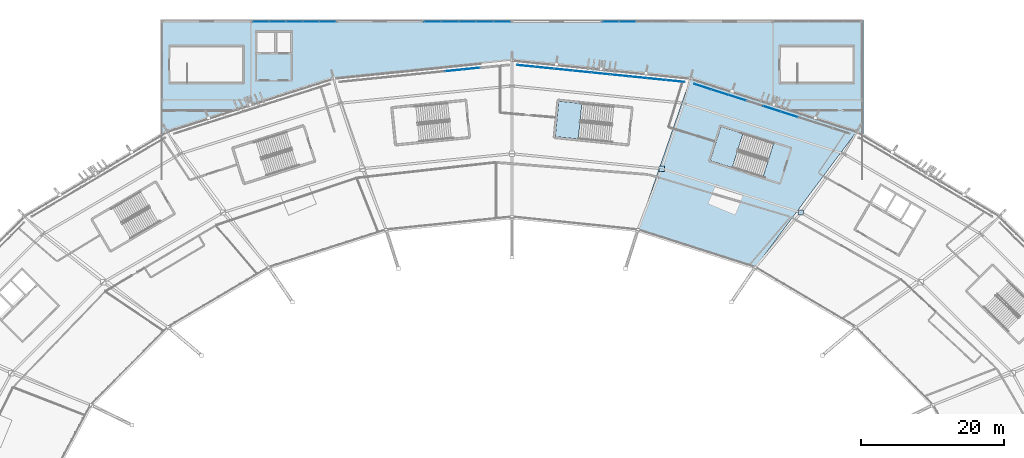
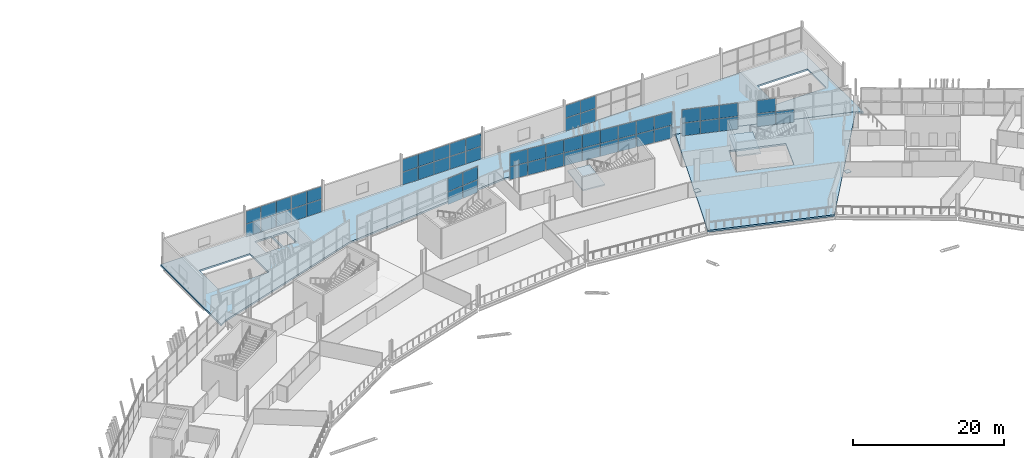
# One storey, part 90 of 168: 57 plates, 4 slabs, 8 elements without a shape of their own.
"""IFC4 building model written with IfcOpenShell, lengths in metres."""

from ifc_helpers import new_model, si_unit, direction, frame, origin, origin_2d, place, context, subcontext, project, spatial, polyline, rectangle, outline, extrude, material, layer, layer_set, type_object, element, aggregate, save


model = new_model("IFC4")

# Units and contexts
model_context = context("Model", 3, precision=1e-05, world=origin(), true_north=direction((0.0, 1.0)))
body_context = subcontext(model_context, "Body", "Model", "MODEL_VIEW")
ifc_project = project(units=[si_unit("LENGTHUNIT", "METRE"), si_unit("AREAUNIT", "SQUARE_METRE"), si_unit("VOLUMEUNIT", "CUBIC_METRE"), si_unit("PLANEANGLEUNIT", "RADIAN"), si_unit("MASSUNIT", "GRAM", prefix="KILO")], contexts=[model_context])

# Site, building, storey
site_placement = place(None, origin())
site = spatial("IfcSite", under=ifc_project, at=site_placement, CompositionType="ELEMENT")
building_placement = place(site_placement, origin())
building = spatial("IfcBuilding", under=site, at=building_placement, Name="Zlatoyarsky Gate Stadium", CompositionType="ELEMENT")
storey_placement = place(building_placement, frame((0.0, 0.0, 15.60009765625)))
storey = spatial("IfcBuildingStorey", under=building, at=storey_placement, Name="L03", CompositionType="ELEMENT", Elevation=15.60009765625)

# Curtain wall, plates
ifc_material_1 = material(Name="Thermally broken anodised aluminium curtain wall", Category="aluminium")
curtain_wall_type_1 = type_object("IfcCurtainWallType", Name="MONUMENTAL ARCHED GATE GLAZING UPPER", PredefinedType="USERDEFINED", material=ifc_material_1)
curtain_wall_1_placement = place(storey_placement, origin())
curtain_wall_1 = element("IfcCurtainWall", 1, at=curtain_wall_1_placement, inside=storey, type_object=curtain_wall_type_1, Name="Curtain wall CW-L03-06", ObjectType="ARCHED GATE GLAZING", PredefinedType="USERDEFINED")
ifc_material_2 = material(Name="Triple-glazed argon low-e architectural glass", Category="glass")
ifc_layer_1 = layer(ifc_material_2, 0.0458984375)
ifc_layer_set_1 = layer_set([ifc_layer_1], Name="Triple-glazed argon low-e architectural glass")
plate_type_1 = type_object("IfcPlateType", Name="ACOUSTIC LAMINATED GATE GLAZING PANEL 46", PredefinedType="CURTAIN_PANEL", material=ifc_layer_set_1)
plate_1_placement = place(storey_placement, frame((105.318115234375, 153.425537109375, 0.074951171875), z_axis=(0.0, 0.0, 1.0), x_axis=(-0.994889751747, -0.100967231657, 0.0)))
plate_1 = element("IfcPlate", 2, at=plate_1_placement, type_object=plate_type_1, Name="CW-AG2 panel 1.1", PredefinedType="CURTAIN_PANEL", context=body_context, shape_type="SweptSolid", body=[
    extrude(rectangle(XDim=2.371826171875, YDim=0.0458984375, at=origin_2d()), origin(), (0.0, 0.0, 1.0), 2.03759765625),
])
plate_2_placement = place(storey_placement, frame((105.318115234375, 153.425537109375, 2.1875), z_axis=(0.0, 0.0, 1.0), x_axis=(-0.994889751747, -0.100967231657, 0.0)))
plate_2 = element("IfcPlate", 3, at=plate_2_placement, type_object=plate_type_1, Name="CW-AG2 panel 1.2", PredefinedType="CURTAIN_PANEL", context=body_context, shape_type="SweptSolid", body=[
    extrude(rectangle(XDim=2.371826171875, YDim=0.0458984375, at=origin_2d()), origin(), (0.0, 0.0, 1.0), 2.117431640625),
])
plate_3_placement = place(storey_placement, frame((102.865234375, 153.1767578125, 0.074951171875), z_axis=(0.0, 0.0, 1.0), x_axis=(-0.994889751747, -0.100967231657, 0.0)))
plate_3 = element("IfcPlate", 4, at=plate_3_placement, type_object=plate_type_1, Name="CW-AG2 panel 2.1", PredefinedType="CURTAIN_PANEL", context=body_context, shape_type="SweptSolid", body=[
    extrude(rectangle(XDim=2.409423828125, YDim=0.0458984375, at=origin_2d()), origin(), (0.0, 0.0, 1.0), 2.03759765625),
])
plate_4_placement = place(storey_placement, frame((102.865234375, 153.1767578125, 2.1875), z_axis=(0.0, 0.0, 1.0), x_axis=(-0.994889751747, -0.100967231657, 0.0)))
plate_4 = element("IfcPlate", 5, at=plate_4_placement, type_object=plate_type_1, Name="CW-AG2 panel 2.2", PredefinedType="CURTAIN_PANEL", context=body_context, shape_type="SweptSolid", body=[
    extrude(rectangle(XDim=2.409423828125, YDim=0.0458984375, at=origin_2d()), origin(), (0.0, 0.0, 1.0), 2.117431640625),
])
aggregate(curtain_wall_1, [plate_1, plate_2, plate_3, plate_4])

# Slabs
ifc_material_3 = material(Name="Concrete C40/50", Category="concrete")
ifc_layer_2 = layer(ifc_material_3, 0.280029296875)
ifc_layer_set_2 = layer_set([ifc_layer_2], Name="Concrete C40/50")
slab_type_1 = type_object("IfcSlabType", Name="CONCRETE HOSPITALITY SLAB 280", PredefinedType="FLOOR", material=ifc_layer_set_2)
slab_1_placement = place(storey_placement, frame((0.0, 0.0, -0.280029296875)))
element("IfcSlab", 6, at=slab_1_placement, inside=storey, type_object=slab_type_1, Name="L03 bowl sector 04 slab", PredefinedType="FLOOR", context=body_context, shape_type="SweptSolid", body=[
    extrude(outline(polyline([(128.599609375, 130.711181640625), (136.0283203125, 152.15673828125), (159.35107421875, 144.694091796875), (145.0, 125.46630859375), (128.599609375, 130.711181640625)]), holes=[polyline([(147.6533203125, 142.964111328125), (140.263916015625, 145.30078125), (138.75634765625, 140.53369140625), (146.145751953125, 138.197021484375), (147.6533203125, 142.964111328125)])]), origin(), (0.0, 0.0, 1.0), 0.280029296875),
])
slab_2_placement = place(storey_placement, frame((0.0, 0.0, -0.280029296875)))
element("IfcSlab", 7, at=slab_2_placement, inside=storey, type_object=slab_type_1, Name="L03 wing V2_NORTH slab", PredefinedType="FLOOR", context=body_context, shape_type="SweptSolid", body=[
    extrude(outline(polyline([(160.239990234375, 144.1669921875), (159.35107421875, 144.694091796875), (136.0283203125, 152.15673828125), (111.0, 154.7021484375), (85.9716796875, 152.15673828125), (62.64892578125, 144.694091796875), (61.760009765625, 144.1669921875), (61.760009765625, 160.239990234375), (160.239990234375, 160.239990234375), (160.239990234375, 144.1669921875)]), holes=[polyline([(73.300048828125, 151.5), (73.300048828125, 156.5), (65.550048828125, 156.5), (65.550048828125, 151.5), (73.300048828125, 151.5)]), polyline([(77.75, 158.550048828125), (75.25, 158.550048828125), (75.25, 155.64990234375), (77.75, 155.64990234375), (77.75, 158.550048828125)]), polyline([(80.0, 158.550048828125), (78.0, 158.550048828125), (78.0, 155.75), (80.0, 155.75), (80.0, 158.550048828125)]), polyline([(151.050048828125, 151.5), (158.800048828125, 151.5), (158.800048828125, 156.5), (151.050048828125, 156.5), (151.050048828125, 151.5)])]), origin(), (0.0, 0.0, 1.0), 0.280029296875),
])

# Stair, slab
stair_type = type_object("IfcStairType", Name="CONCRETE DOGLEG EXIT STAIR H5200", PredefinedType="TWO_STRAIGHT_RUN_STAIR", material=ifc_material_3)
stair_1_placement = place(storey_placement, origin())
stair_1 = element("IfcStair", 8, at=stair_1_placement, inside=storey, type_object=stair_type, Name="L03 Exit Stair ST-03", PredefinedType="TWO_STRAIGHT_RUN_STAIR")
ifc_layer_3 = layer(ifc_material_3, 0.199951171875)
ifc_layer_set_3 = layer_set([ifc_layer_3], Name="Concrete C40/50")
slab_type_2 = type_object("IfcSlabType", Name="CONCRETE STAIR LANDING SLAB 200", PredefinedType="LANDING", material=ifc_layer_set_3)
slab_3_placement = place(storey_placement, frame((0.0, 0.0, 2.39990234375)))
slab_3 = element("IfcSlab", 9, at=slab_3_placement, type_object=slab_type_2, Name="ST-DG52 landing 1", PredefinedType="LANDING", context=body_context, shape_type="SweptSolid", body=[
    extrude(outline(polyline([(143.36279296875, 144.321044921875), (140.263916015625, 145.30078125), (138.75634765625, 140.53369140625), (141.855224609375, 139.5537109375), (143.36279296875, 144.321044921875)])), origin(), (0.0, 0.0, 1.0), 0.199951171875),
])
aggregate(stair_1, [slab_3])

stair_2_placement = place(storey_placement, origin())
stair_2 = element("IfcStair", 10, at=stair_2_placement, inside=storey, type_object=stair_type, Name="L03 Exit Stair ST-17", PredefinedType="TWO_STRAIGHT_RUN_STAIR")
slab_4_placement = place(storey_placement, frame((0.0, 0.0, 2.39990234375)))
slab_4 = element("IfcSlab", 11, at=slab_4_placement, type_object=slab_type_2, Name="ST-DG52 landing 1", PredefinedType="LANDING", context=body_context, shape_type="SweptSolid", body=[
    extrude(outline(polyline([(120.792236328125, 148.540771484375), (117.558349609375, 148.865966796875), (117.058349609375, 143.890869140625), (120.2919921875, 143.56591796875), (120.792236328125, 148.540771484375)])), origin(), (0.0, 0.0, 1.0), 0.199951171875),
])
aggregate(stair_2, [slab_4])

# Plates
ifc_material_4 = material(Name="Steel S355", Category="steel")
ifc_layer_4 = layer(ifc_material_4, 0.0400390625)
ifc_layer_set_4 = layer_set([ifc_layer_4], Name="Steel S355")
plate_type_2 = type_object("IfcPlateType", Name="STEEL COLUMN BASE PLATE 40", PredefinedType="USERDEFINED", material=ifc_layer_set_4)
for number, where, z_axis, x_axis, name in (
    (12, (151.5, 133.260498046875, 0.0), (0.0, 0.0, 1.0), (1.0, 0.0, 0.0), "Column base plate BP-01 at RB-04 L03"),
    (13, (131.96435546875, 139.404296875, 0.0), (0.0, 0.0, 1.0), (1.0, 0.0, 0.0), "Column base plate BP-01 at RB-05 L03"),
):
    element("IfcPlate", number, at=place(storey_placement, frame(where, z_axis=z_axis, x_axis=x_axis)), inside=storey, type_object=plate_type_2, Name=name, ObjectType="BASE PLATE", PredefinedType="USERDEFINED", context=body_context, shape_type="SweptSolid", body=[
        extrude(rectangle(XDim=0.75, YDim=0.75, at=origin_2d()), origin(), (0.0, 0.0, 1.0), 0.0400390625),
    ])

# Curtain wall, plates
curtain_wall_type_2 = type_object("IfcCurtainWallType", Name="UNITISED CORPORATE BOX GLAZING L03", PredefinedType="USERDEFINED", material=ifc_material_1)
curtain_wall_2_placement = place(storey_placement, origin())
curtain_wall_2 = element("IfcCurtainWall", 14, at=curtain_wall_2_placement, inside=storey, type_object=curtain_wall_type_2, Name="Curtain wall CW-L03-04", ObjectType="UNITISED GLAZING", PredefinedType="USERDEFINED")
ifc_layer_5 = layer(ifc_material_2, 0.0380859375)
ifc_layer_set_5 = layer_set([ifc_layer_5], Name="Triple-glazed argon low-e architectural glass")
plate_type_3 = type_object("IfcPlateType", Name="TRIPLE GLAZED LOW E CURTAIN PANEL 38", PredefinedType="CURTAIN_PANEL", material=ifc_layer_set_5)
plate_5_placement = place(storey_placement, frame((149.859130859375, 147.006591796875, 0.06494140625), z_axis=(0.0, 0.0, 1.0), x_axis=(-0.952620280552, 0.304162129597, 0.0)))
plate_5 = element("IfcPlate", 15, at=plate_5_placement, type_object=plate_type_3, Name="CW-UG3 panel 4.1", PredefinedType="CURTAIN_PANEL", context=body_context, shape_type="SweptSolid", body=[
    extrude(rectangle(XDim=2.4912109375, YDim=0.0380859375, at=origin_2d()), origin(), (0.0, 0.0, 1.0), 2.052490234375),
])
plate_6_placement = place(storey_placement, frame((147.424072265625, 147.7841796875, 0.06494140625), z_axis=(0.0, 0.0, 1.0), x_axis=(-0.952620280552, 0.304162129597, 0.0)))
plate_6 = element("IfcPlate", 16, at=plate_6_placement, type_object=plate_type_3, Name="CW-UG3 panel 5.1", PredefinedType="CURTAIN_PANEL", context=body_context, shape_type="SweptSolid", body=[
    extrude(rectangle(XDim=2.4912109375, YDim=0.0380859375, at=origin_2d()), origin(), (0.0, 0.0, 1.0), 2.052490234375),
])
plate_7_placement = place(storey_placement, frame((147.424072265625, 147.7841796875, 2.18212890625), z_axis=(0.0, 0.0, 1.0), x_axis=(-0.952620280552, 0.304162129597, 0.0)))
plate_7 = element("IfcPlate", 17, at=plate_7_placement, type_object=plate_type_3, Name="CW-UG3 panel 5.2", PredefinedType="CURTAIN_PANEL", context=body_context, shape_type="SweptSolid", body=[
    extrude(rectangle(XDim=2.4912109375, YDim=0.0380859375, at=origin_2d()), origin(), (0.0, 0.0, 1.0), 2.132568359375),
])
plate_8_placement = place(storey_placement, frame((142.553955078125, 149.339111328125, 0.06494140625), z_axis=(0.0, 0.0, 1.0), x_axis=(-0.952620280552, 0.304162129597, 0.0)))
plate_8 = element("IfcPlate", 18, at=plate_8_placement, type_object=plate_type_3, Name="CW-UG3 panel 7.1", PredefinedType="CURTAIN_PANEL", context=body_context, shape_type="SweptSolid", body=[
    extrude(rectangle(XDim=2.4912109375, YDim=0.0380859375, at=origin_2d()), origin(), (0.0, 0.0, 1.0), 2.052490234375),
])
plate_9_placement = place(storey_placement, frame((142.553955078125, 149.339111328125, 2.18212890625), z_axis=(0.0, 0.0, 1.0), x_axis=(-0.952620280552, 0.304162129597, 0.0)))
plate_9 = element("IfcPlate", 19, at=plate_9_placement, type_object=plate_type_3, Name="CW-UG3 panel 7.2", PredefinedType="CURTAIN_PANEL", context=body_context, shape_type="SweptSolid", body=[
    extrude(rectangle(XDim=2.4912109375, YDim=0.0380859375, at=origin_2d()), origin(), (0.0, 0.0, 1.0), 2.132568359375),
])
plate_10_placement = place(storey_placement, frame((140.118896484375, 150.11669921875, 0.06494140625), z_axis=(0.0, 0.0, 1.0), x_axis=(-0.952620280552, 0.304162129597, 0.0)))
plate_10 = element("IfcPlate", 20, at=plate_10_placement, type_object=plate_type_3, Name="CW-UG3 panel 8.1", PredefinedType="CURTAIN_PANEL", context=body_context, shape_type="SweptSolid", body=[
    extrude(rectangle(XDim=2.4912109375, YDim=0.0380859375, at=origin_2d()), origin(), (0.0, 0.0, 1.0), 2.052490234375),
])
plate_11_placement = place(storey_placement, frame((140.118896484375, 150.11669921875, 2.18212890625), z_axis=(0.0, 0.0, 1.0), x_axis=(-0.952620280552, 0.304162129597, 0.0)))
plate_11 = element("IfcPlate", 21, at=plate_11_placement, type_object=plate_type_3, Name="CW-UG3 panel 8.2", PredefinedType="CURTAIN_PANEL", context=body_context, shape_type="SweptSolid", body=[
    extrude(rectangle(XDim=2.4912109375, YDim=0.0380859375, at=origin_2d()), origin(), (0.0, 0.0, 1.0), 2.132568359375),
])
plate_12_placement = place(storey_placement, frame((137.699462890625, 150.88916015625, 0.06494140625), z_axis=(0.0, 0.0, 1.0), x_axis=(-0.952620280552, 0.304162129597, 0.0)))
plate_12 = element("IfcPlate", 22, at=plate_12_placement, type_object=plate_type_3, Name="CW-UG3 panel 9.1", PredefinedType="CURTAIN_PANEL", context=body_context, shape_type="SweptSolid", body=[
    extrude(rectangle(XDim=2.458740234375, YDim=0.0380859375, at=origin_2d()), origin(), (0.0, 0.0, 1.0), 2.052490234375),
])
plate_13_placement = place(storey_placement, frame((137.699462890625, 150.88916015625, 2.18212890625), z_axis=(0.0, 0.0, 1.0), x_axis=(-0.952620280552, 0.304162129597, 0.0)))
plate_13 = element("IfcPlate", 23, at=plate_13_placement, type_object=plate_type_3, Name="CW-UG3 panel 9.2", PredefinedType="CURTAIN_PANEL", context=body_context, shape_type="SweptSolid", body=[
    extrude(rectangle(XDim=2.458740234375, YDim=0.0380859375, at=origin_2d()), origin(), (0.0, 0.0, 1.0), 2.132568359375),
])
aggregate(curtain_wall_2, [plate_5, plate_6, plate_7, plate_8, plate_9, plate_10, plate_11, plate_12, plate_13])

curtain_wall_3_placement = place(storey_placement, origin())
curtain_wall_3 = element("IfcCurtainWall", 24, at=curtain_wall_3_placement, inside=storey, type_object=curtain_wall_type_2, Name="Curtain wall CW-L03-05", ObjectType="UNITISED GLAZING", PredefinedType="USERDEFINED")
plate_14_placement = place(storey_placement, frame((133.875732421875, 151.6806640625, 0.06494140625), z_axis=(0.0, 0.0, 1.0), x_axis=(-0.994889655868, 0.100968176403, 0.0)))
plate_14 = element("IfcPlate", 25, at=plate_14_placement, type_object=plate_type_3, Name="CW-UG3 panel 1.1", PredefinedType="CURTAIN_PANEL", context=body_context, shape_type="SweptSolid", body=[
    extrude(rectangle(XDim=2.532958984375, YDim=0.0380859375, at=origin_2d()), origin(), (0.0, 0.0, 1.0), 2.052490234375),
])
plate_15_placement = place(storey_placement, frame((133.875732421875, 151.6806640625, 2.18212890625), z_axis=(0.0, 0.0, 1.0), x_axis=(-0.994889655868, 0.100968176403, 0.0)))
plate_15 = element("IfcPlate", 26, at=plate_15_placement, type_object=plate_type_3, Name="CW-UG3 panel 1.2", PredefinedType="CURTAIN_PANEL", context=body_context, shape_type="SweptSolid", body=[
    extrude(rectangle(XDim=2.532958984375, YDim=0.0380859375, at=origin_2d()), origin(), (0.0, 0.0, 1.0), 2.132568359375),
])
plate_16_placement = place(storey_placement, frame((131.27490234375, 151.944580078125, 0.06494140625), z_axis=(0.0, 0.0, 1.0), x_axis=(-0.994889655868, 0.100968176403, 0.0)))
plate_16 = element("IfcPlate", 27, at=plate_16_placement, type_object=plate_type_3, Name="CW-UG3 panel 2.1", PredefinedType="CURTAIN_PANEL", context=body_context, shape_type="SweptSolid", body=[
    extrude(rectangle(XDim=2.5654296875, YDim=0.0380859375, at=origin_2d()), origin(), (0.0, 0.0, 1.0), 2.052490234375),
])
plate_17_placement = place(storey_placement, frame((131.27490234375, 151.944580078125, 2.18212890625), z_axis=(0.0, 0.0, 1.0), x_axis=(-0.994889655868, 0.100968176403, 0.0)))
plate_17 = element("IfcPlate", 28, at=plate_17_placement, type_object=plate_type_3, Name="CW-UG3 panel 2.2", PredefinedType="CURTAIN_PANEL", context=body_context, shape_type="SweptSolid", body=[
    extrude(rectangle(XDim=2.5654296875, YDim=0.0380859375, at=origin_2d()), origin(), (0.0, 0.0, 1.0), 2.132568359375),
])
plate_18_placement = place(storey_placement, frame((128.65771484375, 152.210205078125, 0.06494140625), z_axis=(0.0, 0.0, 1.0), x_axis=(-0.994889655868, 0.100968176403, 0.0)))
plate_18 = element("IfcPlate", 29, at=plate_18_placement, type_object=plate_type_3, Name="CW-UG3 panel 3.1", PredefinedType="CURTAIN_PANEL", context=body_context, shape_type="SweptSolid", body=[
    extrude(rectangle(XDim=2.5654296875, YDim=0.0380859375, at=origin_2d()), origin(), (0.0, 0.0, 1.0), 2.052490234375),
])
plate_19_placement = place(storey_placement, frame((128.65771484375, 152.210205078125, 2.18212890625), z_axis=(0.0, 0.0, 1.0), x_axis=(-0.994889655868, 0.100968176403, 0.0)))
plate_19 = element("IfcPlate", 30, at=plate_19_placement, type_object=plate_type_3, Name="CW-UG3 panel 3.2", PredefinedType="CURTAIN_PANEL", context=body_context, shape_type="SweptSolid", body=[
    extrude(rectangle(XDim=2.5654296875, YDim=0.0380859375, at=origin_2d()), origin(), (0.0, 0.0, 1.0), 2.132568359375),
])
plate_20_placement = place(storey_placement, frame((126.040771484375, 152.475830078125, 0.06494140625), z_axis=(0.0, 0.0, 1.0), x_axis=(-0.994889655868, 0.100968176403, 0.0)))
plate_20 = element("IfcPlate", 31, at=plate_20_placement, type_object=plate_type_3, Name="CW-UG3 panel 4.1", PredefinedType="CURTAIN_PANEL", context=body_context, shape_type="SweptSolid", body=[
    extrude(rectangle(XDim=2.5654296875, YDim=0.0380859375, at=origin_2d()), origin(), (0.0, 0.0, 1.0), 2.052490234375),
])
plate_21_placement = place(storey_placement, frame((126.040771484375, 152.475830078125, 2.18212890625), z_axis=(0.0, 0.0, 1.0), x_axis=(-0.994889655868, 0.100968176403, 0.0)))
plate_21 = element("IfcPlate", 32, at=plate_21_placement, type_object=plate_type_3, Name="CW-UG3 panel 4.2", PredefinedType="CURTAIN_PANEL", context=body_context, shape_type="SweptSolid", body=[
    extrude(rectangle(XDim=2.5654296875, YDim=0.0380859375, at=origin_2d()), origin(), (0.0, 0.0, 1.0), 2.132568359375),
])
plate_22_placement = place(storey_placement, frame((123.423583984375, 152.741455078125, 0.06494140625), z_axis=(0.0, 0.0, 1.0), x_axis=(-0.994889655868, 0.100968176403, 0.0)))
plate_22 = element("IfcPlate", 33, at=plate_22_placement, type_object=plate_type_3, Name="CW-UG3 panel 5.1", PredefinedType="CURTAIN_PANEL", context=body_context, shape_type="SweptSolid", body=[
    extrude(rectangle(XDim=2.5654296875, YDim=0.0380859375, at=origin_2d()), origin(), (0.0, 0.0, 1.0), 2.052490234375),
])
plate_23_placement = place(storey_placement, frame((123.423583984375, 152.741455078125, 2.18212890625), z_axis=(0.0, 0.0, 1.0), x_axis=(-0.994889655868, 0.100968176403, 0.0)))
plate_23 = element("IfcPlate", 34, at=plate_23_placement, type_object=plate_type_3, Name="CW-UG3 panel 5.2", PredefinedType="CURTAIN_PANEL", context=body_context, shape_type="SweptSolid", body=[
    extrude(rectangle(XDim=2.5654296875, YDim=0.0380859375, at=origin_2d()), origin(), (0.0, 0.0, 1.0), 2.132568359375),
])
plate_24_placement = place(storey_placement, frame((120.806396484375, 153.007080078125, 0.06494140625), z_axis=(0.0, 0.0, 1.0), x_axis=(-0.994889655868, 0.100968176403, 0.0)))
plate_24 = element("IfcPlate", 35, at=plate_24_placement, type_object=plate_type_3, Name="CW-UG3 panel 6.1", PredefinedType="CURTAIN_PANEL", context=body_context, shape_type="SweptSolid", body=[
    extrude(rectangle(XDim=2.5654296875, YDim=0.0380859375, at=origin_2d()), origin(), (0.0, 0.0, 1.0), 2.052490234375),
])
plate_25_placement = place(storey_placement, frame((120.806396484375, 153.007080078125, 2.18212890625), z_axis=(0.0, 0.0, 1.0), x_axis=(-0.994889655868, 0.100968176403, 0.0)))
plate_25 = element("IfcPlate", 36, at=plate_25_placement, type_object=plate_type_3, Name="CW-UG3 panel 6.2", PredefinedType="CURTAIN_PANEL", context=body_context, shape_type="SweptSolid", body=[
    extrude(rectangle(XDim=2.5654296875, YDim=0.0380859375, at=origin_2d()), origin(), (0.0, 0.0, 1.0), 2.132568359375),
])
plate_26_placement = place(storey_placement, frame((118.189453125, 153.272705078125, 0.06494140625), z_axis=(0.0, 0.0, 1.0), x_axis=(-0.994889655868, 0.100968176403, 0.0)))
plate_26 = element("IfcPlate", 37, at=plate_26_placement, type_object=plate_type_3, Name="CW-UG3 panel 7.1", PredefinedType="CURTAIN_PANEL", context=body_context, shape_type="SweptSolid", body=[
    extrude(rectangle(XDim=2.5654296875, YDim=0.0380859375, at=origin_2d()), origin(), (0.0, 0.0, 1.0), 2.052490234375),
])
plate_27_placement = place(storey_placement, frame((118.189453125, 153.272705078125, 2.18212890625), z_axis=(0.0, 0.0, 1.0), x_axis=(-0.994889655868, 0.100968176403, 0.0)))
plate_27 = element("IfcPlate", 38, at=plate_27_placement, type_object=plate_type_3, Name="CW-UG3 panel 7.2", PredefinedType="CURTAIN_PANEL", context=body_context, shape_type="SweptSolid", body=[
    extrude(rectangle(XDim=2.5654296875, YDim=0.0380859375, at=origin_2d()), origin(), (0.0, 0.0, 1.0), 2.132568359375),
])
plate_28_placement = place(storey_placement, frame((115.572265625, 153.5380859375, 0.06494140625), z_axis=(0.0, 0.0, 1.0), x_axis=(-0.994889655868, 0.100968176403, 0.0)))
plate_28 = element("IfcPlate", 39, at=plate_28_placement, type_object=plate_type_3, Name="CW-UG3 panel 8.1", PredefinedType="CURTAIN_PANEL", context=body_context, shape_type="SweptSolid", body=[
    extrude(rectangle(XDim=2.5654296875, YDim=0.0380859375, at=origin_2d()), origin(), (0.0, 0.0, 1.0), 2.052490234375),
])
plate_29_placement = place(storey_placement, frame((115.572265625, 153.5380859375, 2.18212890625), z_axis=(0.0, 0.0, 1.0), x_axis=(-0.994889655868, 0.100968176403, 0.0)))
plate_29 = element("IfcPlate", 40, at=plate_29_placement, type_object=plate_type_3, Name="CW-UG3 panel 8.2", PredefinedType="CURTAIN_PANEL", context=body_context, shape_type="SweptSolid", body=[
    extrude(rectangle(XDim=2.5654296875, YDim=0.0380859375, at=origin_2d()), origin(), (0.0, 0.0, 1.0), 2.132568359375),
])
plate_30_placement = place(storey_placement, frame((112.971435546875, 153.80224609375, 0.06494140625), z_axis=(0.0, 0.0, 1.0), x_axis=(-0.994889655868, 0.100968176403, 0.0)))
plate_30 = element("IfcPlate", 41, at=plate_30_placement, type_object=plate_type_3, Name="CW-UG3 panel 9.1", PredefinedType="CURTAIN_PANEL", context=body_context, shape_type="SweptSolid", body=[
    extrude(rectangle(XDim=2.532958984375, YDim=0.0380859375, at=origin_2d()), origin(), (0.0, 0.0, 1.0), 2.052490234375),
])
plate_31_placement = place(storey_placement, frame((112.971435546875, 153.80224609375, 2.18212890625), z_axis=(0.0, 0.0, 1.0), x_axis=(-0.994889655868, 0.100968176403, 0.0)))
plate_31 = element("IfcPlate", 42, at=plate_31_placement, type_object=plate_type_3, Name="CW-UG3 panel 9.2", PredefinedType="CURTAIN_PANEL", context=body_context, shape_type="SweptSolid", body=[
    extrude(rectangle(XDim=2.532958984375, YDim=0.0380859375, at=origin_2d()), origin(), (0.0, 0.0, 1.0), 2.132568359375),
])
aggregate(curtain_wall_3, [plate_14, plate_15, plate_16, plate_17, plate_18, plate_19, plate_20, plate_21, plate_22, plate_23, plate_24, plate_25, plate_26, plate_27, plate_28, plate_29, plate_30, plate_31])

curtain_wall_type_3 = type_object("IfcCurtainWallType", Name="WINTER GARDEN CONSERVATORY GLAZING", PredefinedType="USERDEFINED", material=ifc_material_1)
curtain_wall_4_placement = place(storey_placement, origin())
curtain_wall_4 = element("IfcCurtainWall", 43, at=curtain_wall_4_placement, inside=storey, type_object=curtain_wall_type_3, Name="Curtain wall CW-V2_NORTH-L03-153", ObjectType="UNITISED GLAZING", PredefinedType="USERDEFINED")
plate_32_placement = place(storey_placement, frame((75.845947265625, 160.0, 0.06494140625), z_axis=(0.0, 0.0, 1.0), x_axis=(1.0, 0.0, 0.0)))
plate_32 = element("IfcPlate", 44, at=plate_32_placement, type_object=plate_type_3, Name="CW-WG1 panel 1.1", PredefinedType="CURTAIN_PANEL", context=body_context, shape_type="SweptSolid", body=[
    extrude(rectangle(XDim=2.23779296875, YDim=0.0380859375, at=origin_2d()), origin(), (0.0, 0.0, 1.0), 2.052490234375),
])
plate_33_placement = place(storey_placement, frame((75.845947265625, 160.0, 2.1826171875), z_axis=(0.0, 0.0, 1.0), x_axis=(1.0, 0.0, 0.0)))
plate_33 = element("IfcPlate", 45, at=plate_33_placement, type_object=plate_type_3, Name="CW-WG1 panel 1.2", PredefinedType="CURTAIN_PANEL", context=body_context, shape_type="SweptSolid", body=[
    extrude(rectangle(XDim=2.23779296875, YDim=0.0380859375, at=origin_2d()), origin(), (0.0, 0.0, 1.0), 2.032470703125),
])
plate_34_placement = place(storey_placement, frame((78.164794921875, 160.0, 0.06494140625), z_axis=(0.0, 0.0, 1.0), x_axis=(1.0, 0.0, 0.0)))
plate_34 = element("IfcPlate", 46, at=plate_34_placement, type_object=plate_type_3, Name="CW-WG1 panel 2.1", PredefinedType="CURTAIN_PANEL", context=body_context, shape_type="SweptSolid", body=[
    extrude(rectangle(XDim=2.270263671875, YDim=0.0380859375, at=origin_2d()), origin(), (0.0, 0.0, 1.0), 2.052490234375),
])
plate_35_placement = place(storey_placement, frame((78.164794921875, 160.0, 2.1826171875), z_axis=(0.0, 0.0, 1.0), x_axis=(1.0, 0.0, 0.0)))
plate_35 = element("IfcPlate", 47, at=plate_35_placement, type_object=plate_type_3, Name="CW-WG1 panel 2.2", PredefinedType="CURTAIN_PANEL", context=body_context, shape_type="SweptSolid", body=[
    extrude(rectangle(XDim=2.270263671875, YDim=0.0380859375, at=origin_2d()), origin(), (0.0, 0.0, 1.0), 2.032470703125),
])
plate_36_placement = place(storey_placement, frame((80.5, 160.0, 0.06494140625), z_axis=(0.0, 0.0, 1.0), x_axis=(1.0, 0.0, 0.0)))
plate_36 = element("IfcPlate", 48, at=plate_36_placement, type_object=plate_type_3, Name="CW-WG1 panel 3.1", PredefinedType="CURTAIN_PANEL", context=body_context, shape_type="SweptSolid", body=[
    extrude(rectangle(XDim=2.270263671875, YDim=0.0380859375, at=origin_2d()), origin(), (0.0, 0.0, 1.0), 2.052490234375),
])
plate_37_placement = place(storey_placement, frame((80.5, 160.0, 2.1826171875), z_axis=(0.0, 0.0, 1.0), x_axis=(1.0, 0.0, 0.0)))
plate_37 = element("IfcPlate", 49, at=plate_37_placement, type_object=plate_type_3, Name="CW-WG1 panel 3.2", PredefinedType="CURTAIN_PANEL", context=body_context, shape_type="SweptSolid", body=[
    extrude(rectangle(XDim=2.270263671875, YDim=0.0380859375, at=origin_2d()), origin(), (0.0, 0.0, 1.0), 2.032470703125),
])
plate_38_placement = place(storey_placement, frame((82.835205078125, 160.0, 0.06494140625), z_axis=(0.0, 0.0, 1.0), x_axis=(1.0, 0.0, 0.0)))
plate_38 = element("IfcPlate", 50, at=plate_38_placement, type_object=plate_type_3, Name="CW-WG1 panel 4.1", PredefinedType="CURTAIN_PANEL", context=body_context, shape_type="SweptSolid", body=[
    extrude(rectangle(XDim=2.270263671875, YDim=0.0380859375, at=origin_2d()), origin(), (0.0, 0.0, 1.0), 2.052490234375),
])
plate_39_placement = place(storey_placement, frame((82.835205078125, 160.0, 2.1826171875), z_axis=(0.0, 0.0, 1.0), x_axis=(1.0, 0.0, 0.0)))
plate_39 = element("IfcPlate", 51, at=plate_39_placement, type_object=plate_type_3, Name="CW-WG1 panel 4.2", PredefinedType="CURTAIN_PANEL", context=body_context, shape_type="SweptSolid", body=[
    extrude(rectangle(XDim=2.270263671875, YDim=0.0380859375, at=origin_2d()), origin(), (0.0, 0.0, 1.0), 2.032470703125),
])
plate_40_placement = place(storey_placement, frame((85.154052734375, 160.0, 0.06494140625), z_axis=(0.0, 0.0, 1.0), x_axis=(1.0, 0.0, 0.0)))
plate_40 = element("IfcPlate", 52, at=plate_40_placement, type_object=plate_type_3, Name="CW-WG1 panel 5.1", PredefinedType="CURTAIN_PANEL", context=body_context, shape_type="SweptSolid", body=[
    extrude(rectangle(XDim=2.23779296875, YDim=0.0380859375, at=origin_2d()), origin(), (0.0, 0.0, 1.0), 2.052490234375),
])
plate_41_placement = place(storey_placement, frame((85.154052734375, 160.0, 2.1826171875), z_axis=(0.0, 0.0, 1.0), x_axis=(1.0, 0.0, 0.0)))
plate_41 = element("IfcPlate", 53, at=plate_41_placement, type_object=plate_type_3, Name="CW-WG1 panel 5.2", PredefinedType="CURTAIN_PANEL", context=body_context, shape_type="SweptSolid", body=[
    extrude(rectangle(XDim=2.23779296875, YDim=0.0380859375, at=origin_2d()), origin(), (0.0, 0.0, 1.0), 2.032470703125),
])
aggregate(curtain_wall_4, [plate_32, plate_33, plate_34, plate_35, plate_36, plate_37, plate_38, plate_39, plate_40, plate_41])

curtain_wall_5_placement = place(storey_placement, origin())
curtain_wall_5 = element("IfcCurtainWall", 54, at=curtain_wall_5_placement, inside=storey, type_object=curtain_wall_type_3, Name="Curtain wall CW-V2_NORTH-L03-154", ObjectType="UNITISED GLAZING", PredefinedType="USERDEFINED")
plate_42_placement = place(storey_placement, frame((99.895751953125, 160.0, 0.06494140625), z_axis=(0.0, 0.0, 1.0), x_axis=(1.0, 0.0, 0.0)))
plate_42 = element("IfcPlate", 55, at=plate_42_placement, type_object=plate_type_3, Name="CW-WG1 panel 1.1", PredefinedType="CURTAIN_PANEL", context=body_context, shape_type="SweptSolid", body=[
    extrude(rectangle(XDim=2.337646484375, YDim=0.0380859375, at=origin_2d()), origin(), (0.0, 0.0, 1.0), 2.052490234375),
])
plate_43_placement = place(storey_placement, frame((99.895751953125, 160.0, 2.1826171875), z_axis=(0.0, 0.0, 1.0), x_axis=(1.0, 0.0, 0.0)))
plate_43 = element("IfcPlate", 56, at=plate_43_placement, type_object=plate_type_3, Name="CW-WG1 panel 1.2", PredefinedType="CURTAIN_PANEL", context=body_context, shape_type="SweptSolid", body=[
    extrude(rectangle(XDim=2.337646484375, YDim=0.0380859375, at=origin_2d()), origin(), (0.0, 0.0, 1.0), 2.032470703125),
])
plate_44_placement = place(storey_placement, frame((102.314697265625, 160.0, 0.06494140625), z_axis=(0.0, 0.0, 1.0), x_axis=(1.0, 0.0, 0.0)))
plate_44 = element("IfcPlate", 57, at=plate_44_placement, type_object=plate_type_3, Name="CW-WG1 panel 2.1", PredefinedType="CURTAIN_PANEL", context=body_context, shape_type="SweptSolid", body=[
    extrude(rectangle(XDim=2.3701171875, YDim=0.0380859375, at=origin_2d()), origin(), (0.0, 0.0, 1.0), 2.052490234375),
])
plate_45_placement = place(storey_placement, frame((102.314697265625, 160.0, 2.1826171875), z_axis=(0.0, 0.0, 1.0), x_axis=(1.0, 0.0, 0.0)))
plate_45 = element("IfcPlate", 58, at=plate_45_placement, type_object=plate_type_3, Name="CW-WG1 panel 2.2", PredefinedType="CURTAIN_PANEL", context=body_context, shape_type="SweptSolid", body=[
    extrude(rectangle(XDim=2.3701171875, YDim=0.0380859375, at=origin_2d()), origin(), (0.0, 0.0, 1.0), 2.032470703125),
])
plate_46_placement = place(storey_placement, frame((104.75, 160.0, 0.06494140625), z_axis=(0.0, 0.0, 1.0), x_axis=(1.0, 0.0, 0.0)))
plate_46 = element("IfcPlate", 59, at=plate_46_placement, type_object=plate_type_3, Name="CW-WG1 panel 3.1", PredefinedType="CURTAIN_PANEL", context=body_context, shape_type="SweptSolid", body=[
    extrude(rectangle(XDim=2.3701171875, YDim=0.0380859375, at=origin_2d()), origin(), (0.0, 0.0, 1.0), 2.052490234375),
])
plate_47_placement = place(storey_placement, frame((104.75, 160.0, 2.1826171875), z_axis=(0.0, 0.0, 1.0), x_axis=(1.0, 0.0, 0.0)))
plate_47 = element("IfcPlate", 60, at=plate_47_placement, type_object=plate_type_3, Name="CW-WG1 panel 3.2", PredefinedType="CURTAIN_PANEL", context=body_context, shape_type="SweptSolid", body=[
    extrude(rectangle(XDim=2.3701171875, YDim=0.0380859375, at=origin_2d()), origin(), (0.0, 0.0, 1.0), 2.032470703125),
])
plate_48_placement = place(storey_placement, frame((107.185302734375, 160.0, 0.06494140625), z_axis=(0.0, 0.0, 1.0), x_axis=(1.0, 0.0, 0.0)))
plate_48 = element("IfcPlate", 61, at=plate_48_placement, type_object=plate_type_3, Name="CW-WG1 panel 4.1", PredefinedType="CURTAIN_PANEL", context=body_context, shape_type="SweptSolid", body=[
    extrude(rectangle(XDim=2.3701171875, YDim=0.0380859375, at=origin_2d()), origin(), (0.0, 0.0, 1.0), 2.052490234375),
])
plate_49_placement = place(storey_placement, frame((107.185302734375, 160.0, 2.1826171875), z_axis=(0.0, 0.0, 1.0), x_axis=(1.0, 0.0, 0.0)))
plate_49 = element("IfcPlate", 62, at=plate_49_placement, type_object=plate_type_3, Name="CW-WG1 panel 4.2", PredefinedType="CURTAIN_PANEL", context=body_context, shape_type="SweptSolid", body=[
    extrude(rectangle(XDim=2.3701171875, YDim=0.0380859375, at=origin_2d()), origin(), (0.0, 0.0, 1.0), 2.032470703125),
])
plate_50_placement = place(storey_placement, frame((109.604248046875, 160.0, 0.06494140625), z_axis=(0.0, 0.0, 1.0), x_axis=(1.0, 0.0, 0.0)))
plate_50 = element("IfcPlate", 63, at=plate_50_placement, type_object=plate_type_3, Name="CW-WG1 panel 5.1", PredefinedType="CURTAIN_PANEL", context=body_context, shape_type="SweptSolid", body=[
    extrude(rectangle(XDim=2.337646484375, YDim=0.0380859375, at=origin_2d()), origin(), (0.0, 0.0, 1.0), 2.052490234375),
])
plate_51_placement = place(storey_placement, frame((109.604248046875, 160.0, 2.1826171875), z_axis=(0.0, 0.0, 1.0), x_axis=(1.0, 0.0, 0.0)))
plate_51 = element("IfcPlate", 64, at=plate_51_placement, type_object=plate_type_3, Name="CW-WG1 panel 5.2", PredefinedType="CURTAIN_PANEL", context=body_context, shape_type="SweptSolid", body=[
    extrude(rectangle(XDim=2.337646484375, YDim=0.0380859375, at=origin_2d()), origin(), (0.0, 0.0, 1.0), 2.032470703125),
])
aggregate(curtain_wall_5, [plate_42, plate_43, plate_44, plate_45, plate_46, plate_47, plate_48, plate_49, plate_50, plate_51])

curtain_wall_6_placement = place(storey_placement, origin())
curtain_wall_6 = element("IfcCurtainWall", 65, at=curtain_wall_6_placement, inside=storey, type_object=curtain_wall_type_3, Name="Curtain wall CW-V2_NORTH-L03-155", ObjectType="UNITISED GLAZING", PredefinedType="USERDEFINED")
plate_52_placement = place(storey_placement, frame((124.845947265625, 160.0, 0.06494140625), z_axis=(0.0, 0.0, 1.0), x_axis=(1.0, 0.0, 0.0)))
plate_52 = element("IfcPlate", 66, at=plate_52_placement, type_object=plate_type_3, Name="CW-WG1 panel 1.1", PredefinedType="CURTAIN_PANEL", context=body_context, shape_type="SweptSolid", body=[
    extrude(rectangle(XDim=2.23779296875, YDim=0.0380859375, at=origin_2d()), origin(), (0.0, 0.0, 1.0), 2.052490234375),
])
plate_53_placement = place(storey_placement, frame((124.845947265625, 160.0, 2.1826171875), z_axis=(0.0, 0.0, 1.0), x_axis=(1.0, 0.0, 0.0)))
plate_53 = element("IfcPlate", 67, at=plate_53_placement, type_object=plate_type_3, Name="CW-WG1 panel 1.2", PredefinedType="CURTAIN_PANEL", context=body_context, shape_type="SweptSolid", body=[
    extrude(rectangle(XDim=2.23779296875, YDim=0.0380859375, at=origin_2d()), origin(), (0.0, 0.0, 1.0), 2.032470703125),
])
plate_54_placement = place(storey_placement, frame((127.164794921875, 160.0, 0.06494140625), z_axis=(0.0, 0.0, 1.0), x_axis=(1.0, 0.0, 0.0)))
plate_54 = element("IfcPlate", 68, at=plate_54_placement, type_object=plate_type_3, Name="CW-WG1 panel 2.1", PredefinedType="CURTAIN_PANEL", context=body_context, shape_type="SweptSolid", body=[
    extrude(rectangle(XDim=2.270263671875, YDim=0.0380859375, at=origin_2d()), origin(), (0.0, 0.0, 1.0), 2.052490234375),
])
plate_55_placement = place(storey_placement, frame((127.164794921875, 160.0, 2.1826171875), z_axis=(0.0, 0.0, 1.0), x_axis=(1.0, 0.0, 0.0)))
plate_55 = element("IfcPlate", 69, at=plate_55_placement, type_object=plate_type_3, Name="CW-WG1 panel 2.2", PredefinedType="CURTAIN_PANEL", context=body_context, shape_type="SweptSolid", body=[
    extrude(rectangle(XDim=2.270263671875, YDim=0.0380859375, at=origin_2d()), origin(), (0.0, 0.0, 1.0), 2.032470703125),
])
aggregate(curtain_wall_6, [plate_52, plate_53, plate_54, plate_55])

save(model, "model.ifc")
